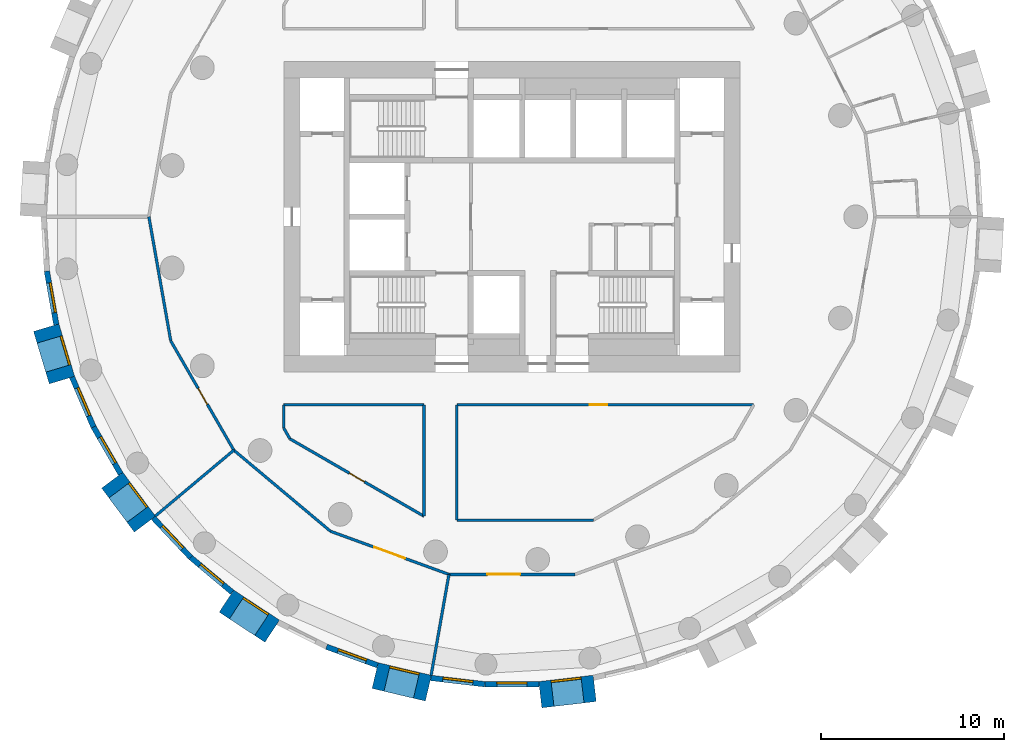
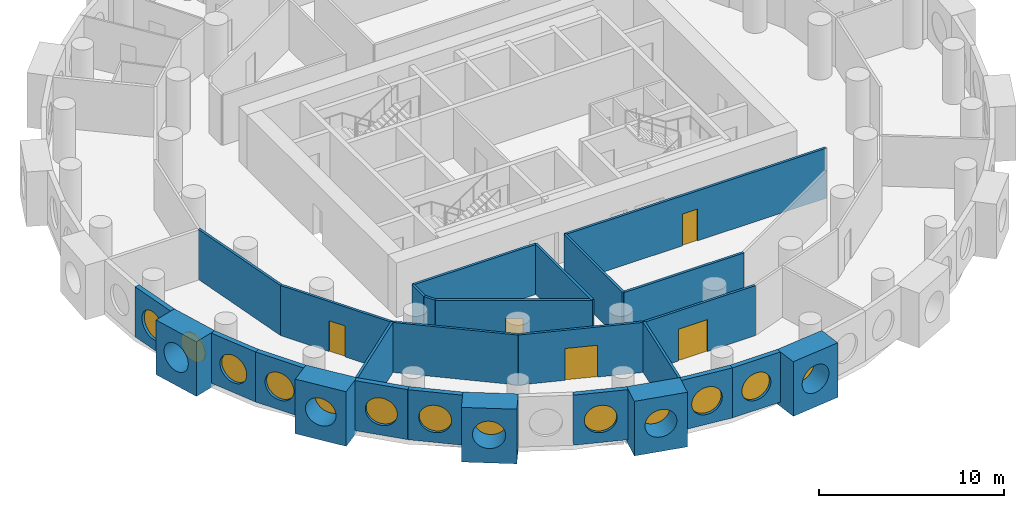
# One storey, part 2 of 10: 28 walls, 13 windows, 5 doors, 18 openings.
"""IFC4 building model written with IfcOpenShell, lengths in metres."""

from ifc_helpers import new_model, si_unit, direction, frame, frame_2d, origin, origin_2d, place, context, subcontext, project, spatial, rectangle, circle, extrude, material, layer, layer_set, type_object, element, fill, save


model = new_model("IFC4")

# Units and contexts
model_context = context("Model", 3, precision=1e-05, world=origin(), true_north=direction((0.0, 1.0)))
body_context = subcontext(model_context, "Body", "Model", "MODEL_VIEW")
ifc_project = project(units=[si_unit("LENGTHUNIT", "METRE"), si_unit("AREAUNIT", "SQUARE_METRE"), si_unit("VOLUMEUNIT", "CUBIC_METRE"), si_unit("PLANEANGLEUNIT", "RADIAN"), si_unit("MASSUNIT", "GRAM", prefix="KILO")], contexts=[model_context])

# Site, building, storey
site_placement = place(None, origin())
site = spatial("IfcSite", under=ifc_project, at=site_placement, CompositionType="ELEMENT")
building_placement = place(site_placement, origin())
building = spatial("IfcBuilding", under=site, at=building_placement, Name="Tracery Tower", CompositionType="ELEMENT")
storey_placement = place(building_placement, frame((0.0, 0.0, 129.60009765625)))
storey = spatial("IfcBuildingStorey", under=building, at=storey_placement, Name="L32", CompositionType="ELEMENT", Elevation=129.60009765625)

# Wall, opening, window
ifc_material_1 = material(Name="Precast concrete C50/60", Category="concrete")
ifc_layer_1 = layer(ifc_material_1, 1.449951171875)
ifc_layer_set_1 = layer_set([ifc_layer_1], Name="Deep-set bay unit 3000 x 3600, slab edge 300")
wall_type_1 = type_object("IfcWallType", Name="Deep-set bay unit 3000 x 3600, slab edge 300", PredefinedType="ELEMENTEDWALL", material=ifc_layer_set_1)
wall_1_placement = place(storey_placement, frame((-25.509521484375, -6.0712890625, -0.300048828125), z_axis=(0.0, 0.0, 1.0), x_axis=(0.286780420304, -0.957996341606, 0.0)))
wall_1 = element("IfcWall", 1, at=wall_1_placement, inside=storey, type_object=wall_type_1, Name="Deep-set bay unit 30 at L32", PredefinedType="ELEMENTEDWALL", context=body_context, shape_type="SweptSolid", body=[
    extrude(rectangle(XDim=3.0, YDim=1.449951171875, at=frame_2d((1.5, 0.0))), origin(), (0.0, 0.0, 1.0), 3.599853515625),
])
opening_1_placement = place(wall_1_placement, frame((1.5, 0.0, 1.85009765625)))
opening_1 = element("IfcOpeningElement", 2, at=opening_1_placement, cuts=wall_1, Name="Opening WN1", PredefinedType="OPENING", context=body_context, shape_type="SweptSolid", body=[
    extrude(circle(Radius=0.9000244140625, at=origin_2d()), frame((0.0, 0.73486328125, 0.0), z_axis=(0.0, -1.0, 0.0), x_axis=(1.0, 0.0, 0.0)), (0.0, 0.0, 1.0), 1.469970703125),
])
ifc_material_2 = material(Name="Aluminium frame with tinted double glazing", Category="aluminium")
window_type = type_object("IfcWindowType", Name="Round window 1800", PartitioningType="SINGLE_PANEL", PredefinedType="WINDOW", material=ifc_material_2)
window_1_placement = place(opening_1_placement, origin())
window_1 = element("IfcWindow", 3, at=window_1_placement, inside=storey, type_object=window_type, Name="Round window 30 at L32", OverallHeight=1.800048828125, OverallWidth=1.800048828125, PartitioningType="SINGLE_PANEL", PredefinedType="WINDOW", context=body_context, shape_type="SweptSolid", body=[
    extrude(circle(Radius=0.9000244140625, at=origin_2d()), frame((0.0, 0.69482421875, 0.0), z_axis=(0.0, -1.0, 0.0), x_axis=(1.0, 0.0, 0.0)), (0.0, 0.0, 1.0), 0.10009765625),
])
fill(opening_1, window_1)

wall_2_placement = place(storey_placement, frame((-21.89453125, -14.429931640625, -0.300048828125), z_axis=(0.0, 0.0, 1.0), x_axis=(0.597183717734, -0.802104486506, 0.0)))
wall_2 = element("IfcWall", 4, at=wall_2_placement, inside=storey, type_object=wall_type_1, Name="Deep-set bay unit 33 at L32", PredefinedType="ELEMENTEDWALL", context=body_context, shape_type="SweptSolid", body=[
    extrude(rectangle(XDim=3.0, YDim=1.449951171875, at=frame_2d((1.5, 0.0))), origin(), (0.0, 0.0, 1.0), 3.599853515625),
])
opening_2_placement = place(wall_2_placement, frame((1.5, 0.0, 1.85009765625)))
opening_2 = element("IfcOpeningElement", 5, at=opening_2_placement, cuts=wall_2, Name="Opening WN1", PredefinedType="OPENING", context=body_context, shape_type="SweptSolid", body=[
    extrude(circle(Radius=0.9000244140625, at=origin_2d()), frame((0.0, 0.73486328125, 0.0), z_axis=(0.0, -1.0, 0.0), x_axis=(1.0, 0.0, 0.0)), (0.0, 0.0, 1.0), 1.469970703125),
])
window_2_placement = place(opening_2_placement, origin())
window_2 = element("IfcWindow", 6, at=window_2_placement, inside=storey, type_object=window_type, Name="Round window 33 at L32", OverallHeight=1.800048828125, OverallWidth=1.800048828125, PartitioningType="SINGLE_PANEL", PredefinedType="WINDOW", context=body_context, shape_type="SweptSolid", body=[
    extrude(circle(Radius=0.9000244140625, at=origin_2d()), frame((0.0, 0.69482421875, 0.0), z_axis=(0.0, -1.0, 0.0), x_axis=(1.0, 0.0, 0.0)), (0.0, 0.0, 1.0), 0.10009765625),
])
fill(opening_2, window_2)

wall_3_placement = place(storey_placement, frame((-15.638916015625, -21.048095703125, -0.300048828125), z_axis=(0.0, 0.0, 1.0), x_axis=(0.835514416706, -0.549468524554, 0.0)))
wall_3 = element("IfcWall", 7, at=wall_3_placement, inside=storey, type_object=wall_type_1, Name="Deep-set bay unit 36 at L32", PredefinedType="ELEMENTEDWALL", context=body_context, shape_type="SweptSolid", body=[
    extrude(rectangle(XDim=3.0, YDim=1.449951171875, at=frame_2d((1.5, 0.0))), origin(), (0.0, 0.0, 1.0), 3.599853515625),
])
opening_3_placement = place(wall_3_placement, frame((1.5, 0.0, 1.85009765625)))
opening_3 = element("IfcOpeningElement", 8, at=opening_3_placement, cuts=wall_3, Name="Opening WN1", PredefinedType="OPENING", context=body_context, shape_type="SweptSolid", body=[
    extrude(circle(Radius=0.9000244140625, at=origin_2d()), frame((0.0, 0.73486328125, 0.0), z_axis=(0.0, -1.0, 0.0), x_axis=(1.0, 0.0, 0.0)), (0.0, 0.0, 1.0), 1.469970703125),
])
window_3_placement = place(opening_3_placement, origin())
window_3 = element("IfcWindow", 9, at=window_3_placement, inside=storey, type_object=window_type, Name="Round window 36 at L32", OverallHeight=1.800048828125, OverallWidth=1.800048828125, PartitioningType="SINGLE_PANEL", PredefinedType="WINDOW", context=body_context, shape_type="SweptSolid", body=[
    extrude(circle(Radius=0.9000244140625, at=origin_2d()), frame((0.0, 0.69482421875, 0.0), z_axis=(0.0, -1.0, 0.0), x_axis=(1.0, 0.0, 0.0)), (0.0, 0.0, 1.0), 0.10009765625),
])
fill(opening_3, window_3)

wall_4_placement = place(storey_placement, frame((-7.496826171875, -25.12744140625, -0.300048828125), z_axis=(0.0, 0.0, 1.0), x_axis=(0.973042333261, -0.23062657627, 0.0)))
wall_4 = element("IfcWall", 10, at=wall_4_placement, inside=storey, type_object=wall_type_1, Name="Deep-set bay unit 39 at L32", PredefinedType="ELEMENTEDWALL", context=body_context, shape_type="SweptSolid", body=[
    extrude(rectangle(XDim=3.0, YDim=1.449951171875, at=frame_2d((1.5, 0.0))), origin(), (0.0, 0.0, 1.0), 3.599853515625),
])
opening_4_placement = place(wall_4_placement, frame((1.5, 0.0, 1.85009765625)))
opening_4 = element("IfcOpeningElement", 11, at=opening_4_placement, cuts=wall_4, Name="Opening WN1", PredefinedType="OPENING", context=body_context, shape_type="SweptSolid", body=[
    extrude(circle(Radius=0.9000244140625, at=origin_2d()), frame((0.0, 0.73486328125, 0.0), z_axis=(0.0, -1.0, 0.0), x_axis=(1.0, 0.0, 0.0)), (0.0, 0.0, 1.0), 1.469970703125),
])
window_4_placement = place(opening_4_placement, origin())
window_4 = element("IfcWindow", 12, at=window_4_placement, inside=storey, type_object=window_type, Name="Round window 39 at L32", OverallHeight=1.800048828125, OverallWidth=1.800048828125, PartitioningType="SINGLE_PANEL", PredefinedType="WINDOW", context=body_context, shape_type="SweptSolid", body=[
    extrude(circle(Radius=0.9000244140625, at=origin_2d()), frame((0.0, 0.69482421875, 0.0), z_axis=(0.0, -1.0, 0.0), x_axis=(1.0, 0.0, 0.0)), (0.0, 0.0, 1.0), 0.10009765625),
])
fill(opening_4, window_4)

wall_5_placement = place(storey_placement, frame((1.54931640625, -26.17626953125, -0.300048828125), z_axis=(0.0, 0.0, 1.0), x_axis=(0.9932342274, 0.116128246006, 0.0)))
wall_5 = element("IfcWall", 13, at=wall_5_placement, inside=storey, type_object=wall_type_1, Name="Deep-set bay unit 42 at L32", PredefinedType="ELEMENTEDWALL", context=body_context, shape_type="SweptSolid", body=[
    extrude(rectangle(XDim=3.0, YDim=1.449951171875, at=frame_2d((1.5, 0.0))), origin(), (0.0, 0.0, 1.0), 3.599853515625),
])
opening_5_placement = place(wall_5_placement, frame((1.5, 0.0, 1.85009765625)))
opening_5 = element("IfcOpeningElement", 14, at=opening_5_placement, cuts=wall_5, Name="Opening WN1", PredefinedType="OPENING", context=body_context, shape_type="SweptSolid", body=[
    extrude(circle(Radius=0.9000244140625, at=origin_2d()), frame((0.0, 0.73486328125, 0.0), z_axis=(0.0, -1.0, 0.0), x_axis=(1.0, 0.0, 0.0)), (0.0, 0.0, 1.0), 1.469970703125),
])
window_5_placement = place(opening_5_placement, origin())
window_5 = element("IfcWindow", 15, at=window_5_placement, inside=storey, type_object=window_type, Name="Round window 42 at L32", OverallHeight=1.800048828125, OverallWidth=1.800048828125, PartitioningType="SINGLE_PANEL", PredefinedType="WINDOW", context=body_context, shape_type="SweptSolid", body=[
    extrude(circle(Radius=0.9000244140625, at=origin_2d()), frame((0.0, 0.69482421875, 0.0), z_axis=(0.0, -1.0, 0.0), x_axis=(1.0, 0.0, 0.0)), (0.0, 0.0, 1.0), 0.10009765625),
])
fill(opening_5, window_5)

ifc_material_3 = material(Name="Precast concrete C50/60", Category="concrete")
ifc_layer_2 = layer(ifc_material_3, 0.300048828125)
ifc_layer_set_2 = layer_set([ifc_layer_2], Name="Facade panel 3000 x 3300")
wall_type_2 = type_object("IfcWallType", Name="Facade panel 3000 x 3300", PredefinedType="SOLIDWALL", material=ifc_layer_set_2)
wall_6_placement = place(storey_placement, frame((-25.47412109375, -2.9775390625, 0.0), z_axis=(0.0, 0.0, 1.0), x_axis=(0.173686952598, -0.984800915159, 0.0)))
wall_6 = element("IfcWall", 16, at=wall_6_placement, inside=storey, type_object=wall_type_2, Name="Facade panel 29 at L32", PredefinedType="SOLIDWALL", context=body_context, shape_type="SweptSolid", body=[
    extrude(rectangle(XDim=2.972900390625, YDim=0.300048828125, at=frame_2d((1.486328125, 0.0))), origin(), (0.0, 0.0, 1.0), 3.2998046875),
])
opening_6_placement = place(wall_6_placement, frame((1.486328125, 0.0, 1.5498046875)))
opening_6 = element("IfcOpeningElement", 17, at=opening_6_placement, cuts=wall_6, Name="Opening WN1", PredefinedType="OPENING", context=body_context, shape_type="SweptSolid", body=[
    extrude(circle(Radius=0.9000244140625, at=origin_2d()), frame((0.0, 0.159912109375, 0.0), z_axis=(0.0, -1.0, 0.0), x_axis=(1.0, 0.0, 0.0)), (0.0, 0.0, 1.0), 0.320068359375),
])
window_6_placement = place(opening_6_placement, origin())
window_6 = element("IfcWindow", 18, at=window_6_placement, inside=storey, type_object=window_type, Name="Round window 29 at L32", OverallHeight=1.800048828125, OverallWidth=1.800048828125, PartitioningType="SINGLE_PANEL", PredefinedType="WINDOW", context=body_context, shape_type="SweptSolid", body=[
    extrude(circle(Radius=0.9000244140625, at=origin_2d()), frame((0.0, 0.1201171875, 0.0), z_axis=(0.0, -1.0, 0.0), x_axis=(1.0, 0.0, 0.0)), (0.0, 0.0, 1.0), 0.10009765625),
])
fill(opening_6, window_6)

wall_7_placement = place(storey_placement, frame((-24.096923828125, -8.78076171875, 0.0), z_axis=(0.0, 0.0, 1.0), x_axis=(0.396078892785, -0.918216483565, 0.0)))
wall_7 = element("IfcWall", 19, at=wall_7_placement, inside=storey, type_object=wall_type_2, Name="Facade panel 31 at L32", PredefinedType="SOLIDWALL", context=body_context, shape_type="SweptSolid", body=[
    extrude(rectangle(XDim=2.972900390625, YDim=0.300048828125, at=frame_2d((1.486328125, 0.0))), origin(), (0.0, 0.0, 1.0), 3.2998046875),
])
opening_7_placement = place(wall_7_placement, frame((1.486328125, 0.0, 1.5498046875)))
opening_7 = element("IfcOpeningElement", 20, at=opening_7_placement, cuts=wall_7, Name="Opening WN1", PredefinedType="OPENING", context=body_context, shape_type="SweptSolid", body=[
    extrude(circle(Radius=0.9000244140625, at=origin_2d()), frame((0.0, 0.159912109375, 0.0), z_axis=(0.0, -1.0, 0.0), x_axis=(1.0, 0.0, 0.0)), (0.0, 0.0, 1.0), 0.320068359375),
])
window_7_placement = place(opening_7_placement, origin())
window_7 = element("IfcWindow", 21, at=window_7_placement, inside=storey, type_object=window_type, Name="Round window 31 at L32", OverallHeight=1.800048828125, OverallWidth=1.800048828125, PartitioningType="SINGLE_PANEL", PredefinedType="WINDOW", context=body_context, shape_type="SweptSolid", body=[
    extrude(circle(Radius=0.9000244140625, at=origin_2d()), frame((0.0, 0.1201171875, 0.0), z_axis=(0.0, -1.0, 0.0), x_axis=(1.0, 0.0, 0.0)), (0.0, 0.0, 1.0), 0.10009765625),
])
fill(opening_7, window_7)

wall_8_placement = place(storey_placement, frame((-22.91943359375, -11.510498046875, 0.0), z_axis=(0.0, 0.0, 1.0), x_axis=(0.500016263033, -0.866016014115, 0.0)))
wall_8 = element("IfcWall", 22, at=wall_8_placement, inside=storey, type_object=wall_type_2, Name="Facade panel 32 at L32", PredefinedType="SOLIDWALL", context=body_context, shape_type="SweptSolid", body=[
    extrude(rectangle(XDim=2.97314453125, YDim=0.300048828125, at=frame_2d((1.486572265625, 0.0))), origin(), (0.0, 0.0, 1.0), 3.2998046875),
])
opening_8_placement = place(wall_8_placement, frame((1.486328125, 0.0, 1.5498046875)))
opening_8 = element("IfcOpeningElement", 23, at=opening_8_placement, cuts=wall_8, Name="Opening WN1", PredefinedType="OPENING", context=body_context, shape_type="SweptSolid", body=[
    extrude(circle(Radius=0.9000244140625, at=origin_2d()), frame((0.0, 0.159912109375, 0.0), z_axis=(0.0, -1.0, 0.0), x_axis=(1.0, 0.0, 0.0)), (0.0, 0.0, 1.0), 0.320068359375),
])
window_8_placement = place(opening_8_placement, origin())
window_8 = element("IfcWindow", 24, at=window_8_placement, inside=storey, type_object=window_type, Name="Round window 32 at L32", OverallHeight=1.800048828125, OverallWidth=1.800048828125, PartitioningType="SINGLE_PANEL", PredefinedType="WINDOW", context=body_context, shape_type="SweptSolid", body=[
    extrude(circle(Radius=0.9000244140625, at=origin_2d()), frame((0.0, 0.1201171875, 0.0), z_axis=(0.0, -1.0, 0.0), x_axis=(1.0, 0.0, 0.0)), (0.0, 0.0, 1.0), 0.10009765625),
])
fill(opening_8, window_8)

wall_9_placement = place(storey_placement, frame((-19.640380859375, -16.492919921875, 0.0), z_axis=(0.0, 0.0, 1.0), x_axis=(0.686235184166, -0.727379730273, 0.0)))
wall_9 = element("IfcWall", 25, at=wall_9_placement, inside=storey, type_object=wall_type_2, Name="Facade panel 34 at L32", PredefinedType="SOLIDWALL", context=body_context, shape_type="SweptSolid", body=[
    extrude(rectangle(XDim=2.972900390625, YDim=0.300048828125, at=frame_2d((1.486328125, 0.0))), origin(), (0.0, 0.0, 1.0), 3.2998046875),
])
opening_9_placement = place(wall_9_placement, frame((1.486328125, 0.0, 1.5498046875)))
opening_9 = element("IfcOpeningElement", 26, at=opening_9_placement, cuts=wall_9, Name="Opening WN1", PredefinedType="OPENING", context=body_context, shape_type="SweptSolid", body=[
    extrude(circle(Radius=0.9000244140625, at=origin_2d()), frame((0.0, 0.159912109375, 0.0), z_axis=(0.0, -1.0, 0.0), x_axis=(1.0, 0.0, 0.0)), (0.0, 0.0, 1.0), 0.320068359375),
])
window_9_placement = place(opening_9_placement, origin())
window_9 = element("IfcWindow", 27, at=window_9_placement, inside=storey, type_object=window_type, Name="Round window 34 at L32", OverallHeight=1.800048828125, OverallWidth=1.800048828125, PartitioningType="SINGLE_PANEL", PredefinedType="WINDOW", context=body_context, shape_type="SweptSolid", body=[
    extrude(circle(Radius=0.9000244140625, at=origin_2d()), frame((0.0, 0.1201171875, 0.0), z_axis=(0.0, -1.0, 0.0), x_axis=(1.0, 0.0, 0.0)), (0.0, 0.0, 1.0), 0.10009765625),
])
fill(opening_9, window_9)

wall_10_placement = place(storey_placement, frame((-17.600341796875, -18.6552734375, 0.0), z_axis=(0.0, 0.0, 1.0), x_axis=(0.766049350637, -0.642781761089, 0.0)))
wall_10 = element("IfcWall", 28, at=wall_10_placement, inside=storey, type_object=wall_type_2, Name="Facade panel 35 at L32", PredefinedType="SOLIDWALL", context=body_context, shape_type="SweptSolid", body=[
    extrude(rectangle(XDim=2.972900390625, YDim=0.300048828125, at=frame_2d((1.486328125, 0.0))), origin(), (0.0, 0.0, 1.0), 3.2998046875),
])
opening_10_placement = place(wall_10_placement, frame((1.486328125, 0.0, 1.5498046875)))
opening_10 = element("IfcOpeningElement", 29, at=opening_10_placement, cuts=wall_10, Name="Opening WN1", PredefinedType="OPENING", context=body_context, shape_type="SweptSolid", body=[
    extrude(circle(Radius=0.9000244140625, at=origin_2d()), frame((0.0, 0.159912109375, 0.0), z_axis=(0.0, -1.0, 0.0), x_axis=(1.0, 0.0, 0.0)), (0.0, 0.0, 1.0), 0.320068359375),
])
window_10_placement = place(opening_10_placement, origin())
window_10 = element("IfcWindow", 30, at=window_10_placement, inside=storey, type_object=window_type, Name="Round window 35 at L32", OverallHeight=1.800048828125, OverallWidth=1.800048828125, PartitioningType="SINGLE_PANEL", PredefinedType="WINDOW", context=body_context, shape_type="SweptSolid", body=[
    extrude(circle(Radius=0.9000244140625, at=origin_2d()), frame((0.0, 0.1201171875, 0.0), z_axis=(0.0, -1.0, 0.0), x_axis=(1.0, 0.0, 0.0)), (0.0, 0.0, 1.0), 0.10009765625),
])
fill(opening_10, window_10)

wall_11_placement = place(storey_placement, frame((-10.158447265625, -23.5498046875, 0.0), z_axis=(0.0, 0.0, 1.0), x_axis=(0.939690282133, -0.342026568652, 0.0)))
wall_11 = element("IfcWall", 31, at=wall_11_placement, inside=storey, type_object=wall_type_2, Name="Facade panel 38 at L32", PredefinedType="SOLIDWALL", context=body_context, shape_type="SweptSolid", body=[
    extrude(rectangle(XDim=2.972900390625, YDim=0.300048828125, at=frame_2d((1.486328125, 0.0))), origin(), (0.0, 0.0, 1.0), 3.2998046875),
])
opening_11_placement = place(wall_11_placement, frame((1.486328125, 0.0, 1.5498046875)))
opening_11 = element("IfcOpeningElement", 32, at=opening_11_placement, cuts=wall_11, Name="Opening WN1", PredefinedType="OPENING", context=body_context, shape_type="SweptSolid", body=[
    extrude(circle(Radius=0.9000244140625, at=origin_2d()), frame((0.0, 0.159912109375, 0.0), z_axis=(0.0, -1.0, 0.0), x_axis=(1.0, 0.0, 0.0)), (0.0, 0.0, 1.0), 0.320068359375),
])
window_11_placement = place(opening_11_placement, origin())
window_11 = element("IfcWindow", 33, at=window_11_placement, inside=storey, type_object=window_type, Name="Round window 38 at L32", OverallHeight=1.800048828125, OverallWidth=1.800048828125, PartitioningType="SINGLE_PANEL", PredefinedType="WINDOW", context=body_context, shape_type="SweptSolid", body=[
    extrude(circle(Radius=0.9000244140625, at=origin_2d()), frame((0.0, 0.1201171875, 0.0), z_axis=(0.0, -1.0, 0.0), x_axis=(1.0, 0.0, 0.0)), (0.0, 0.0, 1.0), 0.10009765625),
])
fill(opening_11, window_11)

wall_12_placement = place(storey_placement, frame((-4.444091796875, -25.259033203125, 0.0), z_axis=(0.0, 0.0, 1.0), x_axis=(0.993245010522, -0.1160359818, 0.0)))
wall_12 = element("IfcWall", 34, at=wall_12_placement, inside=storey, type_object=wall_type_2, Name="Facade panel 40 at L32", PredefinedType="SOLIDWALL", context=body_context, shape_type="SweptSolid", body=[
    extrude(rectangle(XDim=2.972900390625, YDim=0.300048828125, at=frame_2d((1.486328125, 0.0))), origin(), (0.0, 0.0, 1.0), 3.2998046875),
])
opening_12_placement = place(wall_12_placement, frame((1.486328125, 0.0, 1.5498046875)))
opening_12 = element("IfcOpeningElement", 35, at=opening_12_placement, cuts=wall_12, Name="Opening WN1", PredefinedType="OPENING", context=body_context, shape_type="SweptSolid", body=[
    extrude(circle(Radius=0.9000244140625, at=origin_2d()), frame((0.0, 0.159912109375, 0.0), z_axis=(0.0, -1.0, 0.0), x_axis=(1.0, 0.0, 0.0)), (0.0, 0.0, 1.0), 0.320068359375),
])
window_12_placement = place(opening_12_placement, origin())
window_12 = element("IfcWindow", 36, at=window_12_placement, inside=storey, type_object=window_type, Name="Round window 40 at L32", OverallHeight=1.800048828125, OverallWidth=1.800048828125, PartitioningType="SINGLE_PANEL", PredefinedType="WINDOW", context=body_context, shape_type="SweptSolid", body=[
    extrude(circle(Radius=0.9000244140625, at=origin_2d()), frame((0.0, 0.1201171875, 0.0), z_axis=(0.0, -1.0, 0.0), x_axis=(1.0, 0.0, 0.0)), (0.0, 0.0, 1.0), 0.10009765625),
])
fill(opening_12, window_12)

wall_13_placement = place(storey_placement, frame((-1.4912109375, -25.60400390625, 0.0), z_axis=(0.0, 0.0, 1.0), x_axis=(1.0, 0.0, 0.0)))
wall_13 = element("IfcWall", 37, at=wall_13_placement, inside=storey, type_object=wall_type_2, Name="Facade panel 41 at L32", PredefinedType="SOLIDWALL", context=body_context, shape_type="SweptSolid", body=[
    extrude(rectangle(XDim=2.972900390625, YDim=0.300048828125, at=frame_2d((1.486328125, 0.0))), origin(), (0.0, 0.0, 1.0), 3.2998046875),
])
opening_13_placement = place(wall_13_placement, frame((1.486328125, 0.0, 1.5498046875)))
opening_13 = element("IfcOpeningElement", 38, at=opening_13_placement, cuts=wall_13, Name="Opening WN1", PredefinedType="OPENING", context=body_context, shape_type="SweptSolid", body=[
    extrude(circle(Radius=0.9000244140625, at=origin_2d()), frame((0.0, 0.159912109375, 0.0), z_axis=(0.0, -1.0, 0.0), x_axis=(1.0, 0.0, 0.0)), (0.0, 0.0, 1.0), 0.320068359375),
])
window_13_placement = place(opening_13_placement, origin())
window_13 = element("IfcWindow", 39, at=window_13_placement, inside=storey, type_object=window_type, Name="Round window 41 at L32", OverallHeight=1.800048828125, OverallWidth=1.800048828125, PartitioningType="SINGLE_PANEL", PredefinedType="WINDOW", context=body_context, shape_type="SweptSolid", body=[
    extrude(circle(Radius=0.9000244140625, at=origin_2d()), frame((0.0, 0.1201171875, 0.0), z_axis=(0.0, -1.0, 0.0), x_axis=(1.0, 0.0, 0.0)), (0.0, 0.0, 1.0), 0.10009765625),
])
fill(opening_13, window_13)

# Walls
ifc_material_4 = material(Name="Plasterboard on steel studs", Category="steel")
ifc_layer_3 = layer(ifc_material_4, 0.14990234375)
ifc_layer_set_3 = layer_set([ifc_layer_3], Name="Partition 150 acoustic unit wall")
wall_type_3 = type_object("IfcWallType", Name="Partition 150 acoustic unit wall", PredefinedType="PARTITIONING", material=ifc_layer_set_3)
wall_14_placement = place(storey_placement, frame((-19.531982421875, -16.388916015625, 0.0), z_axis=(0.0, 0.0, 1.0), x_axis=(0.76609059793, 0.642732600514, 0.0)))
element("IfcWall", 40, at=wall_14_placement, inside=storey, type_object=wall_type_3, Name="Unit wall RB1-077", PredefinedType="PARTITIONING", context=body_context, shape_type="SweptSolid", body=[
    extrude(rectangle(XDim=5.60888671875, YDim=0.14990234375, at=frame_2d((2.804443359375, 0.0))), origin(), (0.0, 0.0, 1.0), 3.2998046875),
])
wall_15_placement = place(storey_placement, frame((-4.427978515625, -25.110107421875, 0.0), z_axis=(0.0, 0.0, 1.0), x_axis=(0.17382754149, 0.984776109489, 0.0)))
element("IfcWall", 41, at=wall_15_placement, inside=storey, type_object=wall_type_3, Name="Unit wall RB1-078", PredefinedType="PARTITIONING", context=body_context, shape_type="SweptSolid", body=[
    extrude(rectangle(XDim=5.609619140625, YDim=0.14990234375, at=frame_2d((2.8046875, 0.0))), origin(), (0.0, 0.0, 1.0), 3.2998046875),
])
ifc_material_5 = material(Name="Plasterboard on steel studs", Category="steel")
ifc_layer_4 = layer(ifc_material_5, 0.14990234375)
ifc_layer_set_4 = layer_set([ifc_layer_4], Name="Partition 150 corridor wall")
wall_type_4 = type_object("IfcWallType", Name="Partition 150 corridor wall", PredefinedType="PARTITIONING", material=ifc_layer_set_4)
wall_16_placement = place(storey_placement, frame((-12.50390625, -10.300048828125, 0.0), z_axis=(0.0, 0.0, 1.0), x_axis=(1.0, 0.0, 0.0)))
element("IfcWall", 42, at=wall_16_placement, inside=storey, type_object=wall_type_4, Name="Corridor wall RB1-003", PredefinedType="PARTITIONING", context=body_context, shape_type="SweptSolid", body=[
    extrude(rectangle(XDim=7.68701171875, YDim=0.14990234375, at=frame_2d((3.843505859375, 0.0))), origin(), (0.0, 0.0, 1.0), 3.2998046875),
])

# Wall, opening, door
wall_17_placement = place(storey_placement, frame((-3.02490234375, -10.300048828125, 0.0), z_axis=(0.0, 0.0, 1.0), x_axis=(1.0, 0.0, 0.0)))
wall_17 = element("IfcWall", 43, at=wall_17_placement, inside=storey, type_object=wall_type_4, Name="Corridor wall RB1-004", PredefinedType="PARTITIONING", context=body_context, shape_type="SweptSolid", body=[
    extrude(rectangle(XDim=16.261962890625, YDim=0.14990234375, at=frame_2d((8.130859375, 0.0))), origin(), (0.0, 0.0, 1.0), 3.2998046875),
])
opening_14_placement = place(wall_17_placement, frame((7.287109375, 0.0, 0.0)))
opening_14 = element("IfcOpeningElement", 44, at=opening_14_placement, cuts=wall_17, Name="Opening RB1-04", PredefinedType="OPENING", context=body_context, shape_type="SweptSolid", body=[
    extrude(rectangle(XDim=0.949951171875, YDim=2.10009765625, at=frame_2d((0.47509765625, 1.050048828125))), frame((0.0, 0.074951171875, 0.0), z_axis=(0.0, -1.0, 0.0), x_axis=(1.0, 0.0, 0.0)), (0.0, 0.0, 1.0), 0.14990234375),
])
ifc_material_6 = material(Name="Timber door leaf", Category="wood")
door_type_1 = type_object("IfcDoorType", Name="Door store 950", OperationType="NOTDEFINED", PredefinedType="DOOR", material=ifc_material_6)
door_1_placement = place(opening_14_placement, origin())
door_1 = element("IfcDoor", 45, at=door_1_placement, inside=storey, type_object=door_type_1, Name="Store door RB1-04", OperationType="SINGLE_SWING_RIGHT", OverallHeight=2.10009765625, OverallWidth=0.949951171875, PredefinedType="DOOR", context=body_context, shape_type="SweptSolid", body=[
    extrude(rectangle(XDim=0.949951171875, YDim=2.10009765625, at=frame_2d((0.47509765625, 1.050048828125))), frame((0.0, 0.02490234375, 0.0), z_axis=(0.0, -1.0, 0.0), x_axis=(1.0, 0.0, 0.0)), (0.0, 0.0, 1.0), 0.050048828125),
])
fill(opening_14, door_1)

# Walls
wall_18_placement = place(storey_placement, frame((-12.5, -11.576904296875, 0.0), z_axis=(0.0, 0.0, 1.0), x_axis=(0.0, 1.0, 0.0)))
element("IfcWall", 46, at=wall_18_placement, inside=storey, type_object=wall_type_4, Name="Corridor wall RB1-025", PredefinedType="PARTITIONING", context=body_context, shape_type="SweptSolid", body=[
    extrude(rectangle(XDim=1.27685546875, YDim=0.14990234375, at=frame_2d((0.638427734375, 0.0))), origin(), (0.0, 0.0, 1.0), 3.2998046875),
])
wall_19_placement = place(storey_placement, frame((-12.5, -11.576904296875, 0.0), z_axis=(0.0, 0.0, 1.0), x_axis=(0.500024767483, -0.866011103799, 0.0)))
element("IfcWall", 47, at=wall_19_placement, inside=storey, type_object=wall_type_4, Name="Corridor wall RB1-026", PredefinedType="PARTITIONING", context=body_context, shape_type="SweptSolid", body=[
    extrude(rectangle(XDim=0.67578125, YDim=0.14990234375, at=frame_2d((0.337890625, 0.0))), origin(), (0.0, 0.0, 1.0), 3.2998046875),
])

# Wall, opening, door
wall_20_placement = place(storey_placement, frame((-18.68798828125, -6.802001953125, 0.0), z_axis=(0.0, 0.0, 1.0), x_axis=(0.499914202267, -0.866074933462, 0.0)))
wall_20 = element("IfcWall", 48, at=wall_20_placement, inside=storey, type_object=wall_type_4, Name="Corridor wall RB1-029", PredefinedType="PARTITIONING", context=body_context, shape_type="SweptSolid", body=[
    extrude(rectangle(XDim=6.906982421875, YDim=0.14990234375, at=frame_2d((3.45361328125, 0.0))), origin(), (0.0, 0.0, 1.0), 3.2998046875),
])
opening_15_placement = place(wall_20_placement, frame((3.003173828125, 0.0, 0.0)))
opening_15 = element("IfcOpeningElement", 49, at=opening_15_placement, cuts=wall_20, Name="Opening RB1-27", PredefinedType="OPENING", context=body_context, shape_type="SweptSolid", body=[
    extrude(rectangle(XDim=1.0, YDim=2.0400390625, at=frame_2d((0.5, 1.02001953125))), frame((0.0, 0.074951171875, 0.0), z_axis=(0.0, -1.0, 0.0), x_axis=(1.0, 0.0, 0.0)), (0.0, 0.0, 1.0), 0.14990234375),
])
ifc_material_7 = material(Name="Timber door leaf", Category="wood")
door_type_2 = type_object("IfcDoorType", Name="Door communal room 1000", OperationType="NOTDEFINED", PredefinedType="DOOR", material=ifc_material_7)
door_2_placement = place(opening_15_placement, origin())
door_2 = element("IfcDoor", 50, at=door_2_placement, inside=storey, type_object=door_type_2, Name="Communal room door RB1-27", OperationType="SINGLE_SWING_LEFT", OverallHeight=2.0400390625, OverallWidth=1.0, PredefinedType="DOOR", context=body_context, shape_type="SweptSolid", body=[
    extrude(rectangle(XDim=1.0, YDim=2.0400390625, at=frame_2d((0.5, 1.02001953125))), frame((0.0, 0.02490234375, 0.0), z_axis=(0.0, -1.0, 0.0), x_axis=(1.0, 0.0, 0.0)), (0.0, 0.0, 1.0), 0.050048828125),
])
fill(opening_15, door_2)

# Walls
wall_21_placement = place(storey_placement, frame((-19.887939453125, 0.0, 0.0), z_axis=(0.0, 0.0, 1.0), x_axis=(0.173728873845, -0.98479352069, 0.0)))
element("IfcWall", 51, at=wall_21_placement, inside=storey, type_object=wall_type_4, Name="Corridor wall RB1-030", PredefinedType="PARTITIONING", context=body_context, shape_type="SweptSolid", body=[
    extrude(rectangle(XDim=6.906982421875, YDim=0.14990234375, at=frame_2d((3.45361328125, 0.0))), origin(), (0.0, 0.0, 1.0), 3.2998046875),
])
wall_22_placement = place(storey_placement, frame((-15.235107421875, -12.783935546875, 0.0), z_axis=(0.0, 0.0, 1.0), x_axis=(0.766192104565, -0.642611592567, 0.0)))
element("IfcWall", 52, at=wall_22_placement, inside=storey, type_object=wall_type_4, Name="Corridor wall RB1-031", PredefinedType="PARTITIONING", context=body_context, shape_type="SweptSolid", body=[
    extrude(rectangle(XDim=6.906494140625, YDim=0.14990234375, at=frame_2d((3.453125, 0.0))), origin(), (0.0, 0.0, 1.0), 3.2998046875),
])

# Wall, opening, door
wall_23_placement = place(storey_placement, frame((-12.162109375, -12.162109375, 0.0), z_axis=(0.0, 0.0, 1.0), x_axis=(0.866004766557, -0.500035743023, 0.0)))
wall_23 = element("IfcWall", 53, at=wall_23_placement, inside=storey, type_object=wall_type_4, Name="Corridor wall RB1-032", PredefinedType="PARTITIONING", context=body_context, shape_type="SweptSolid", body=[
    extrude(rectangle(XDim=8.47705078125, YDim=0.14990234375, at=frame_2d((4.238525390625, 0.0))), origin(), (0.0, 0.0, 1.0), 3.2998046875),
])
opening_16_placement = place(wall_23_placement, frame((3.762939453125, 0.0, 0.0)))
opening_16 = element("IfcOpeningElement", 54, at=opening_16_placement, cuts=wall_23, Name="Opening RB1-03", PredefinedType="OPENING", context=body_context, shape_type="SweptSolid", body=[
    extrude(rectangle(XDim=0.949951171875, YDim=2.10009765625, at=frame_2d((0.47509765625, 1.050048828125))), frame((0.0, 0.074951171875, 0.0), z_axis=(0.0, -1.0, 0.0), x_axis=(1.0, 0.0, 0.0)), (0.0, 0.0, 1.0), 0.14990234375),
])
door_3_placement = place(opening_16_placement, origin())
door_3 = element("IfcDoor", 55, at=door_3_placement, inside=storey, type_object=door_type_1, Name="Store door RB1-03", OperationType="SINGLE_SWING_LEFT", OverallHeight=2.10009765625, OverallWidth=0.949951171875, PredefinedType="DOOR", context=body_context, shape_type="SweptSolid", body=[
    extrude(rectangle(XDim=0.949951171875, YDim=2.10009765625, at=frame_2d((0.47509765625, 1.050048828125))), frame((0.0, 0.02490234375, 0.0), z_axis=(0.0, -1.0, 0.0), x_axis=(1.0, 0.0, 0.0)), (0.0, 0.0, 1.0), 0.050048828125),
])
fill(opening_16, door_3)

# Walls
wall_24_placement = place(storey_placement, frame((-4.821044921875, -16.40087890625, 0.0), z_axis=(0.0, 0.0, 1.0), x_axis=(0.0, 1.0, 0.0)))
element("IfcWall", 56, at=wall_24_placement, inside=storey, type_object=wall_type_4, Name="Corridor wall RB1-033", PredefinedType="PARTITIONING", context=body_context, shape_type="SweptSolid", body=[
    extrude(rectangle(XDim=6.100830078125, YDim=0.14990234375, at=frame_2d((3.05029296875, 0.0))), origin(), (0.0, 0.0, 1.0), 3.2998046875),
])
wall_25_placement = place(storey_placement, frame((-3.02099609375, -16.614013671875, 0.0), z_axis=(0.0, 0.0, 1.0), x_axis=(0.0, 1.0, 0.0)))
element("IfcWall", 57, at=wall_25_placement, inside=storey, type_object=wall_type_4, Name="Corridor wall RB1-034", PredefinedType="PARTITIONING", context=body_context, shape_type="SweptSolid", body=[
    extrude(rectangle(XDim=6.31396484375, YDim=0.14990234375, at=frame_2d((3.156982421875, 0.0))), origin(), (0.0, 0.0, 1.0), 3.2998046875),
])
wall_26_placement = place(storey_placement, frame((-3.02099609375, -16.614013671875, 0.0), z_axis=(0.0, 0.0, 1.0), x_axis=(1.0, 0.0, 0.0)))
element("IfcWall", 58, at=wall_26_placement, inside=storey, type_object=wall_type_4, Name="Corridor wall RB1-035", PredefinedType="PARTITIONING", context=body_context, shape_type="SweptSolid", body=[
    extrude(rectangle(XDim=7.472900390625, YDim=0.14990234375, at=frame_2d((3.736328125, 0.0))), origin(), (0.0, 0.0, 1.0), 3.2998046875),
])

# Wall, opening, door
wall_27_placement = place(storey_placement, frame((-9.944091796875, -17.222900390625, 0.0), z_axis=(0.0, 0.0, 1.0), x_axis=(0.939672634566, -0.342075050021, 0.0)))
wall_27 = element("IfcWall", 59, at=wall_27_placement, inside=storey, type_object=wall_type_4, Name="Corridor wall RB1-037", PredefinedType="PARTITIONING", context=body_context, shape_type="SweptSolid", body=[
    extrude(rectangle(XDim=6.907958984375, YDim=0.14990234375, at=frame_2d((3.4541015625, 0.0))), origin(), (0.0, 0.0, 1.0), 3.2998046875),
])
opening_17_placement = place(wall_27_placement, frame((2.5537109375, 0.0, 0.0)))
opening_17 = element("IfcOpeningElement", 60, at=opening_17_placement, cuts=wall_27, Name="Opening RB1-28", PredefinedType="OPENING", context=body_context, shape_type="SweptSolid", body=[
    extrude(rectangle(XDim=1.800048828125, YDim=2.10009765625, at=frame_2d((0.89990234375, 1.050048828125))), frame((0.0, 0.074951171875, 0.0), z_axis=(0.0, -1.0, 0.0), x_axis=(1.0, 0.0, 0.0)), (0.0, 0.0, 1.0), 0.14990234375),
])
ifc_material_8 = material(Name="Timber door leaf", Category="wood")
door_type_3 = type_object("IfcDoorType", Name="Door double lounge 1800", OperationType="NOTDEFINED", PredefinedType="DOOR", material=ifc_material_8)
door_4_placement = place(opening_17_placement, origin())
door_4 = element("IfcDoor", 61, at=door_4_placement, inside=storey, type_object=door_type_3, Name="Double lounge door RB1-28", OperationType="DOUBLE_DOOR_SINGLE_SWING", OverallHeight=2.10009765625, OverallWidth=1.800048828125, PredefinedType="DOOR", context=body_context, shape_type="SweptSolid", body=[
    extrude(rectangle(XDim=1.800048828125, YDim=2.10009765625, at=frame_2d((0.89990234375, 1.050048828125))), frame((0.0, 0.02490234375, 0.0), z_axis=(0.0, -1.0, 0.0), x_axis=(1.0, 0.0, 0.0)), (0.0, 0.0, 1.0), 0.050048828125),
])
fill(opening_17, door_4)

wall_28_placement = place(storey_placement, frame((-3.452880859375, -19.5859375, 0.0), z_axis=(0.0, 0.0, 1.0), x_axis=(1.0, 0.0, 0.0)))
wall_28 = element("IfcWall", 62, at=wall_28_placement, inside=storey, type_object=wall_type_4, Name="Corridor wall RB1-039", PredefinedType="PARTITIONING", context=body_context, shape_type="SweptSolid", body=[
    extrude(rectangle(XDim=6.90576171875, YDim=0.14990234375, at=frame_2d((3.452880859375, 0.0))), origin(), (0.0, 0.0, 1.0), 3.2998046875),
])
opening_18_placement = place(wall_28_placement, frame((2.10302734375, 0.0, 0.0)))
opening_18 = element("IfcOpeningElement", 63, at=opening_18_placement, cuts=wall_28, Name="Opening RB1-29", PredefinedType="OPENING", context=body_context, shape_type="SweptSolid", body=[
    extrude(rectangle(XDim=1.800048828125, YDim=2.10009765625, at=frame_2d((0.89990234375, 1.050048828125))), frame((0.0, 0.074951171875, 0.0), z_axis=(0.0, -1.0, 0.0), x_axis=(1.0, 0.0, 0.0)), (0.0, 0.0, 1.0), 0.14990234375),
])
door_5_placement = place(opening_18_placement, origin())
door_5 = element("IfcDoor", 64, at=door_5_placement, inside=storey, type_object=door_type_3, Name="Double lounge door RB1-29", OperationType="DOUBLE_DOOR_SINGLE_SWING", OverallHeight=2.10009765625, OverallWidth=1.800048828125, PredefinedType="DOOR", context=body_context, shape_type="SweptSolid", body=[
    extrude(rectangle(XDim=1.800048828125, YDim=2.10009765625, at=frame_2d((0.89990234375, 1.050048828125))), frame((0.0, 0.02490234375, 0.0), z_axis=(0.0, -1.0, 0.0), x_axis=(1.0, 0.0, 0.0)), (0.0, 0.0, 1.0), 0.050048828125),
])
fill(opening_18, door_5)

save(model, "model.ifc")
